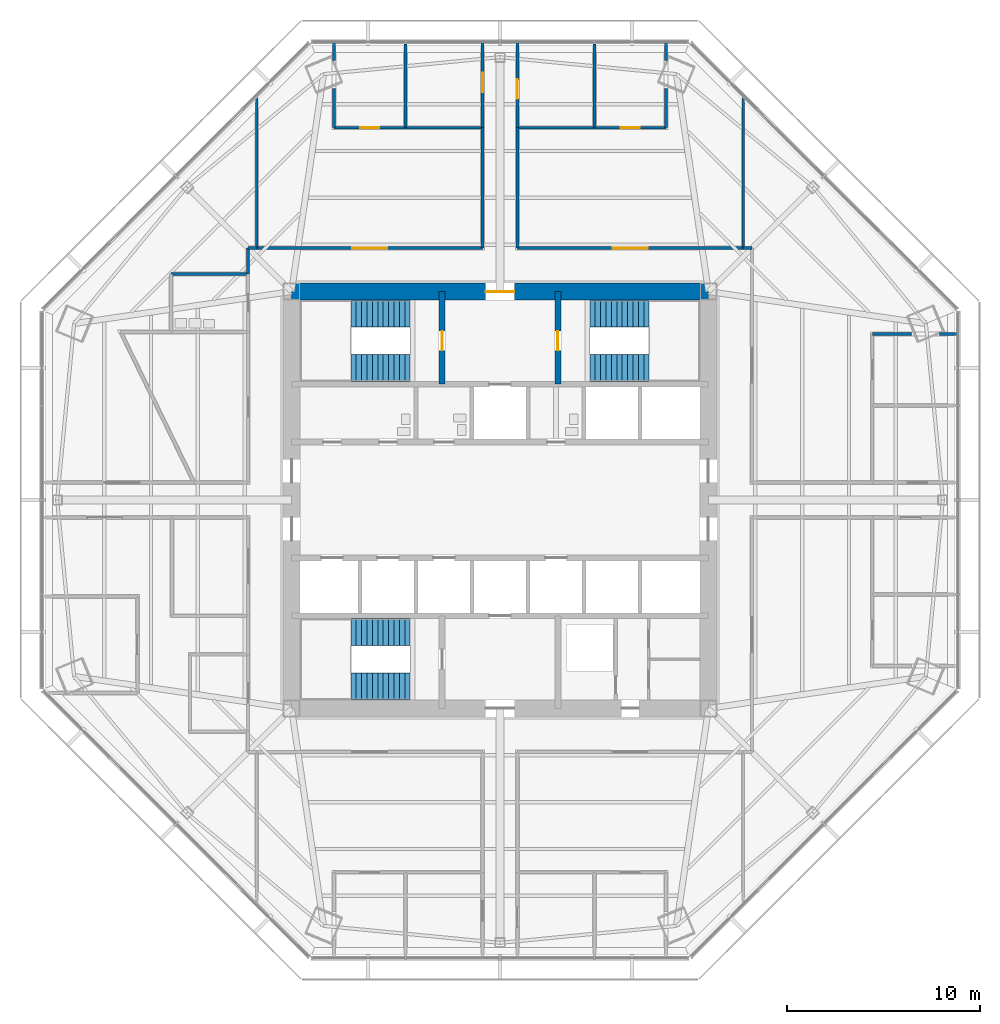
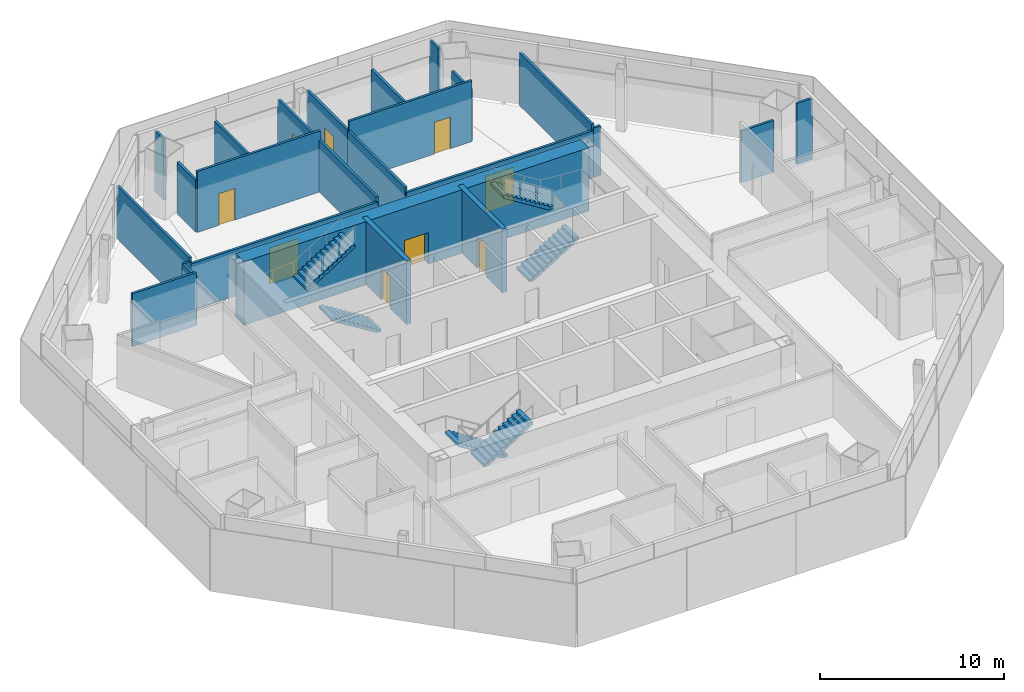
# One storey, part 11 of 15: 25 walls, 9 doors, 6 stair flights, 9 openings, 3 elements without a shape of their own.
"""IFC4 building model written with IfcOpenShell, lengths in metres."""

from ifc_helpers import new_model, si_unit, direction, frame, frame_2d, origin, place, context, subcontext, project, spatial, polyline, rectangle, outline, extrude, material, layer, layer_set, type_object, element, fill, aggregate, save


model = new_model("IFC4")

# Units and contexts
model_context = context("Model", 3, precision=1e-05, world=origin(), true_north=direction((0.0, 1.0)))
body_context = subcontext(model_context, "Body", "Model", "MODEL_VIEW")
ifc_project = project(units=[si_unit("LENGTHUNIT", "METRE"), si_unit("AREAUNIT", "SQUARE_METRE"), si_unit("VOLUMEUNIT", "CUBIC_METRE"), si_unit("PLANEANGLEUNIT", "RADIAN"), si_unit("MASSUNIT", "GRAM", prefix="KILO")], contexts=[model_context])

# Site, building, storey
site_placement = place(None, origin())
site = spatial("IfcSite", under=ifc_project, at=site_placement, CompositionType="ELEMENT")
building_placement = place(site_placement, origin())
building = spatial("IfcBuilding", under=site, at=building_placement, Name="Mashrafa Tower", CompositionType="ELEMENT")
storey_placement = place(building_placement, frame((0.0, 0.0, 151.199951171875)))
storey = spatial("IfcBuildingStorey", under=building, at=storey_placement, Name="L34", CompositionType="ELEMENT", Elevation=151.199951171875)

# Wall, opening, door
ifc_material_1 = material(Name="Concrete C60/75", Category="concrete")
ifc_layer_1 = layer(ifc_material_1, 0.300048828125)
ifc_layer_set_1 = layer_set([ifc_layer_1], Name="Core wall 300 C60/75")
wall_type_1 = type_object("IfcWallType", Name="Core wall 300 C60/75", PredefinedType="SOLIDWALL", material=ifc_layer_set_1)
wall_1_placement = place(storey_placement, frame((-3.0, 6.0, 0.0), z_axis=(0.0, 0.0, 1.0), x_axis=(0.0, 1.0, 0.0)))
wall_1 = element("IfcWall", 1, at=wall_1_placement, inside=storey, type_object=wall_type_1, Name="Core wall CX-NW L34", PredefinedType="SOLIDWALL", context=body_context, shape_type="SweptSolid", body=[
    extrude(rectangle(XDim=4.800048828125, YDim=0.300048828125, at=frame_2d((2.39990234375, 0.0))), origin(), (0.0, 0.0, 1.0), 4.199951171875),
])
opening_1_placement = place(wall_1_placement, frame((1.75, 0.0, 0.0)))
opening_1 = element("IfcOpeningElement", 2, at=opening_1_placement, cuts=wall_1, Name="Opening 34.032", PredefinedType="OPENING", context=body_context, shape_type="SweptSolid", body=[
    extrude(rectangle(XDim=1.0, YDim=2.10009765625, at=frame_2d((0.5, 1.050048828125))), frame((0.0, 0.159912109375, 0.0), z_axis=(0.0, -1.0, 0.0), x_axis=(1.0, 0.0, 0.0)), (0.0, 0.0, 1.0), 0.320068359375),
])
ifc_material_2 = material(Name="Steel door", Category="steel")
door_type_1 = type_object("IfcDoorType", Name="Stair door 1000 x 2100 90 min", OperationType="USERDEFINED", PredefinedType="DOOR", material=ifc_material_2)
door_1_placement = place(opening_1_placement, origin())
door_1 = element("IfcDoor", 3, at=door_1_placement, inside=storey, type_object=door_type_1, Name="Stair S1 door L34", OperationType="SINGLE_SWING_LEFT", OverallHeight=2.10009765625, OverallWidth=1.0, PredefinedType="DOOR", context=body_context, shape_type="SweptSolid", body=[
    extrude(rectangle(XDim=1.0, YDim=2.10009765625, at=frame_2d((0.5, 1.050048828125))), frame((0.0, 0.02490234375, 0.0), z_axis=(0.0, -1.0, 0.0), x_axis=(1.0, 0.0, 0.0)), (0.0, 0.0, 1.0), 0.050048828125),
])
fill(opening_1, door_1)

wall_2_placement = place(storey_placement, frame((3.0, 6.0, 0.0), z_axis=(0.0, 0.0, 1.0), x_axis=(0.0, 1.0, 0.0)))
wall_2 = element("IfcWall", 4, at=wall_2_placement, inside=storey, type_object=wall_type_1, Name="Core wall CX-NE L34", PredefinedType="SOLIDWALL", context=body_context, shape_type="SweptSolid", body=[
    extrude(rectangle(XDim=4.800048828125, YDim=0.300048828125, at=frame_2d((2.39990234375, 0.0))), origin(), (0.0, 0.0, 1.0), 4.199951171875),
])
opening_2_placement = place(wall_2_placement, frame((1.75, 0.0, 0.0)))
opening_2 = element("IfcOpeningElement", 5, at=opening_2_placement, cuts=wall_2, Name="Opening 34.033", PredefinedType="OPENING", context=body_context, shape_type="SweptSolid", body=[
    extrude(rectangle(XDim=1.0, YDim=2.10009765625, at=frame_2d((0.5, 1.050048828125))), frame((0.0, 0.159912109375, 0.0), z_axis=(0.0, -1.0, 0.0), x_axis=(1.0, 0.0, 0.0)), (0.0, 0.0, 1.0), 0.320068359375),
])
door_2_placement = place(opening_2_placement, frame((1.0, 0.0, 0.0), z_axis=(0.0, 0.0, 1.0), x_axis=(-1.0, 0.0, 0.0)))
door_2 = element("IfcDoor", 6, at=door_2_placement, inside=storey, type_object=door_type_1, Name="Stair S2 door L34", OperationType="SINGLE_SWING_RIGHT", OverallHeight=2.10009765625, OverallWidth=1.0, PredefinedType="DOOR", context=body_context, shape_type="SweptSolid", body=[
    extrude(rectangle(XDim=1.0, YDim=2.10009765625, at=frame_2d((0.5, 1.050048828125))), frame((0.0, 0.02490234375, 0.0), z_axis=(0.0, -1.0, 0.0), x_axis=(1.0, 0.0, 0.0)), (0.0, 0.0, 1.0), 0.050048828125),
])
fill(opening_2, door_2)

ifc_material_3 = material(Name="Concrete C60/75", Category="concrete")
ifc_layer_2 = layer(ifc_material_3, 0.89990234375)
ifc_layer_set_2 = layer_set([ifc_layer_2], Name="Core wall 900 C60/75")
wall_type_2 = type_object("IfcWallType", Name="Core wall 900 C60/75", PredefinedType="SOLIDWALL", material=ifc_layer_set_2)
wall_3_placement = place(storey_placement, frame((10.800048828125, 10.800048828125, 0.0), z_axis=(0.0, 0.0, 1.0), x_axis=(-1.0, 0.0, 0.0)))
wall_3 = element("IfcWall", 7, at=wall_3_placement, inside=storey, type_object=wall_type_2, Name="Core wall CW-N L34", PredefinedType="SOLIDWALL", context=body_context, shape_type="SweptSolid", body=[
    extrude(rectangle(XDim=21.60009765625, YDim=0.89990234375, at=frame_2d((10.800048828125, 0.0))), origin(), (0.0, 0.0, 1.0), 4.199951171875),
])
opening_3_placement = place(wall_3_placement, frame((10.050048828125, 0.0, 0.0)))
opening_3 = element("IfcOpeningElement", 8, at=opening_3_placement, cuts=wall_3, Name="Opening 34.030", PredefinedType="OPENING", context=body_context, shape_type="SweptSolid", body=[
    extrude(rectangle(XDim=1.5, YDim=2.10009765625, at=frame_2d((0.75, 1.050048828125))), frame((0.0, 0.4599609375, 0.0), z_axis=(0.0, -1.0, 0.0), x_axis=(1.0, 0.0, 0.0)), (0.0, 0.0, 1.0), 0.919921875),
])
ifc_material_4 = material(Name="Steel door", Category="steel")
door_type_2 = type_object("IfcDoorType", Name="Lobby door pair 1500 x 2100 90 min", OperationType="DOUBLE_DOOR_SINGLE_SWING", PredefinedType="DOOR", material=ifc_material_4)
door_3_placement = place(opening_3_placement, origin())
door_3 = element("IfcDoor", 9, at=door_3_placement, inside=storey, type_object=door_type_2, Name="Fire-fighting lobby F1 door L34", OperationType="DOUBLE_DOOR_SINGLE_SWING", OverallHeight=2.10009765625, OverallWidth=1.5, PredefinedType="DOOR", context=body_context, shape_type="SweptSolid", body=[
    extrude(rectangle(XDim=1.5, YDim=2.10009765625, at=frame_2d((0.75, 1.050048828125))), frame((0.0, 0.02490234375, 0.0), z_axis=(0.0, -1.0, 0.0), x_axis=(1.0, 0.0, 0.0)), (0.0, 0.0, 1.0), 0.050048828125),
])
fill(opening_3, door_3)

ifc_material_5 = material(Name="Gypsum board on steel studs", Category="steel")
ifc_layer_3 = layer(ifc_material_5, 0.14990234375)
ifc_layer_set_3 = layer_set([ifc_layer_3], Name="Corridor partition 150 1 hr")
wall_type_3 = type_object("IfcWallType", Name="Corridor partition 150 1 hr", PredefinedType="PARTITIONING", material=ifc_layer_set_3)
wall_4_placement = place(storey_placement, frame((-0.89990234375, 23.721435546875, 0.0), z_axis=(0.0, 0.0, 1.0), x_axis=(0.0, -1.0, 0.0)))
wall_4 = element("IfcWall", 10, at=wall_4_placement, inside=storey, type_object=wall_type_3, Name="Corridor wall L34-006", PredefinedType="PARTITIONING", context=body_context, shape_type="SweptSolid", body=[
    extrude(rectangle(XDim=4.434814453125, YDim=0.14990234375, at=frame_2d((2.21728515625, 0.0))), origin(), (0.0, 0.0, 1.0), 3.425537109375),
])
opening_4_placement = place(wall_4_placement, frame((1.599609375, 0.0, 0.0)))
opening_4 = element("IfcOpeningElement", 11, at=opening_4_placement, cuts=wall_4, Name="Opening 34.007", PredefinedType="OPENING", context=body_context, shape_type="SweptSolid", body=[
    extrude(rectangle(XDim=1.0, YDim=2.10009765625, at=frame_2d((0.5, 1.050048828125))), frame((0.0, 0.0849609375, 0.0), z_axis=(0.0, -1.0, 0.0), x_axis=(1.0, 0.0, 0.0)), (0.0, 0.0, 1.0), 0.169921875),
])
ifc_material_6 = material(Name="Timber door", Category="wood")
door_type_3 = type_object("IfcDoorType", Name="Door 1000 x 2100", OperationType="USERDEFINED", PredefinedType="DOOR", material=ifc_material_6)
door_4_placement = place(opening_4_placement, frame((1.0, 0.0, 0.0), z_axis=(0.0, 0.0, 1.0), x_axis=(-1.0, 0.0, 0.0)))
door_4 = element("IfcDoor", 12, at=door_4_placement, inside=storey, type_object=door_type_3, Name="Serviced Office 34-NA-1 door", OperationType="SINGLE_SWING_RIGHT", OverallHeight=2.10009765625, OverallWidth=1.0, PredefinedType="DOOR", context=body_context, shape_type="SweptSolid", body=[
    extrude(rectangle(XDim=1.0, YDim=2.10009765625, at=frame_2d((0.5, 1.050048828125))), frame((0.0, 0.02490234375, 0.0), z_axis=(0.0, -1.0, 0.0), x_axis=(1.0, 0.0, 0.0)), (0.0, 0.0, 1.0), 0.050048828125),
])
fill(opening_4, door_4)

wall_5_placement = place(storey_placement, frame((0.89990234375, 19.28662109375, 0.0), z_axis=(0.0, 0.0, 1.0), x_axis=(0.0, 1.0, 0.0)))
wall_5 = element("IfcWall", 13, at=wall_5_placement, inside=storey, type_object=wall_type_3, Name="Corridor wall L34-007", PredefinedType="PARTITIONING", context=body_context, shape_type="SweptSolid", body=[
    extrude(rectangle(XDim=4.434814453125, YDim=0.14990234375, at=frame_2d((2.21728515625, 0.0))), origin(), (0.0, 0.0, 1.0), 3.425537109375),
])
opening_5_placement = place(wall_5_placement, frame((1.50048828125, 0.0, 0.0)))
opening_5 = element("IfcOpeningElement", 14, at=opening_5_placement, cuts=wall_5, Name="Opening 34.010", PredefinedType="OPENING", context=body_context, shape_type="SweptSolid", body=[
    extrude(rectangle(XDim=1.0, YDim=2.10009765625, at=frame_2d((0.5, 1.050048828125))), frame((0.0, 0.0849609375, 0.0), z_axis=(0.0, -1.0, 0.0), x_axis=(1.0, 0.0, 0.0)), (0.0, 0.0, 1.0), 0.169921875),
])
door_5_placement = place(opening_5_placement, frame((1.0, 0.0, 0.0), z_axis=(0.0, 0.0, 1.0), x_axis=(-1.0, 0.0, 0.0)))
door_5 = element("IfcDoor", 15, at=door_5_placement, inside=storey, type_object=door_type_3, Name="Serviced Office 34-NB-2 door", OperationType="SINGLE_SWING_RIGHT", OverallHeight=2.10009765625, OverallWidth=1.0, PredefinedType="DOOR", context=body_context, shape_type="SweptSolid", body=[
    extrude(rectangle(XDim=1.0, YDim=2.10009765625, at=frame_2d((0.5, 1.050048828125))), frame((0.0, 0.02490234375, 0.0), z_axis=(0.0, -1.0, 0.0), x_axis=(1.0, 0.0, 0.0)), (0.0, 0.0, 1.0), 0.050048828125),
])
fill(opening_5, door_5)

# Wall
wall_6_placement = place(storey_placement, frame((13.050048828125, 13.050048828125, 0.0), z_axis=(0.0, 0.0, 1.0), x_axis=(-1.0, 0.0, 0.0)))
element("IfcWall", 16, at=wall_6_placement, inside=storey, type_object=wall_type_3, Name="Corridor wall L34-015", PredefinedType="PARTITIONING", context=body_context, shape_type="SweptSolid", body=[
    extrude(rectangle(XDim=0.450927734375, YDim=0.14990234375, at=frame_2d((0.2255859375, 0.0))), origin(), (0.0, 0.0, 1.0), 3.262939453125),
])

# Wall, opening, door
wall_7_placement = place(storey_placement, frame((12.60107421875, 13.050048828125, 0.0), z_axis=(0.0, 0.0, 1.0), x_axis=(-1.0, 0.0, 0.0)))
wall_7 = element("IfcWall", 17, at=wall_7_placement, inside=storey, type_object=wall_type_3, Name="Corridor wall L34-016", PredefinedType="PARTITIONING", context=body_context, shape_type="SweptSolid", body=[
    extrude(rectangle(XDim=11.701171875, YDim=0.14990234375, at=frame_2d((5.8505859375, 0.0))), origin(), (0.0, 0.0, 1.0), 3.097900390625),
])
opening_6_placement = place(wall_7_placement, frame((4.950439453125, 0.0, 0.0)))
opening_6 = element("IfcOpeningElement", 18, at=opening_6_placement, cuts=wall_7, Name="Opening 34.019", PredefinedType="OPENING", context=body_context, shape_type="SweptSolid", body=[
    extrude(rectangle(XDim=1.800048828125, YDim=2.39990234375, at=frame_2d((0.89990234375, 1.199951171875))), frame((0.0, 0.0849609375, 0.0), z_axis=(0.0, -1.0, 0.0), x_axis=(1.0, 0.0, 0.0)), (0.0, 0.0, 1.0), 0.169921875),
])
ifc_material_7 = material(Name="Timber door", Category="wood")
door_type_4 = type_object("IfcDoorType", Name="Door pair 1800 x 2400", OperationType="DOUBLE_DOOR_SINGLE_SWING", PredefinedType="DOOR", material=ifc_material_7)
door_6_placement = place(opening_6_placement, origin())
door_6 = element("IfcDoor", 19, at=door_6_placement, inside=storey, type_object=door_type_4, Name="Business Centre Lounge 34-NE2 door", OperationType="DOUBLE_DOOR_SINGLE_SWING", OverallHeight=2.39990234375, OverallWidth=1.800048828125, PredefinedType="DOOR", context=body_context, shape_type="SweptSolid", body=[
    extrude(rectangle(XDim=1.800048828125, YDim=2.39990234375, at=frame_2d((0.89990234375, 1.199951171875))), frame((0.0, 0.02490234375, 0.0), z_axis=(0.0, -1.0, 0.0), x_axis=(1.0, 0.0, 0.0)), (0.0, 0.0, 1.0), 0.050048828125),
])
fill(opening_6, door_6)

# Walls
wall_8_placement = place(storey_placement, frame((0.89990234375, 13.050048828125, 0.0), z_axis=(0.0, 0.0, 1.0), x_axis=(0.0, 1.0, 0.0)))
element("IfcWall", 20, at=wall_8_placement, inside=storey, type_object=wall_type_3, Name="Corridor wall L34-017", PredefinedType="PARTITIONING", context=body_context, shape_type="SweptSolid", body=[
    extrude(rectangle(XDim=6.238525390625, YDim=0.14990234375, at=frame_2d((3.119140625, 0.0))), origin(), (0.0, 0.0, 1.0), 3.425537109375),
])
wall_9_placement = place(storey_placement, frame((-12.59912109375, 13.050048828125, 0.0), z_axis=(0.0, 0.0, 1.0), x_axis=(-1.0, 0.0, 0.0)))
element("IfcWall", 21, at=wall_9_placement, inside=storey, type_object=wall_type_3, Name="Corridor wall L34-019", PredefinedType="PARTITIONING", context=body_context, shape_type="SweptSolid", body=[
    extrude(rectangle(XDim=0.450927734375, YDim=0.14990234375, at=frame_2d((0.2255859375, 0.0))), origin(), (0.0, 0.0, 1.0), 3.262939453125),
])
wall_10_placement = place(storey_placement, frame((-13.050048828125, 13.050048828125, 0.0), z_axis=(0.0, 0.0, 1.0), x_axis=(0.0, -1.0, 0.0)))
element("IfcWall", 22, at=wall_10_placement, inside=storey, type_object=wall_type_3, Name="Corridor wall L34-020", PredefinedType="PARTITIONING", context=body_context, shape_type="SweptSolid", body=[
    extrude(rectangle(XDim=1.35107421875, YDim=0.14990234375, at=frame_2d((0.675537109375, 0.0))), origin(), (0.0, 0.0, 1.0), 3.262939453125),
])
wall_11_placement = place(storey_placement, frame((-0.89990234375, 19.28857421875, 0.0), z_axis=(0.0, 0.0, 1.0), x_axis=(0.0, -1.0, 0.0)))
element("IfcWall", 23, at=wall_11_placement, inside=storey, type_object=wall_type_3, Name="Corridor wall L34-021", PredefinedType="PARTITIONING", context=body_context, shape_type="SweptSolid", body=[
    extrude(rectangle(XDim=6.238525390625, YDim=0.14990234375, at=frame_2d((3.119140625, 0.0))), origin(), (0.0, 0.0, 1.0), 3.425537109375),
])

# Wall, opening, door
wall_12_placement = place(storey_placement, frame((-0.89990234375, 13.050048828125, 0.0), z_axis=(0.0, 0.0, 1.0), x_axis=(-1.0, 0.0, 0.0)))
wall_12 = element("IfcWall", 24, at=wall_12_placement, inside=storey, type_object=wall_type_3, Name="Corridor wall L34-022", PredefinedType="PARTITIONING", context=body_context, shape_type="SweptSolid", body=[
    extrude(rectangle(XDim=11.701171875, YDim=0.14990234375, at=frame_2d((5.8505859375, 0.0))), origin(), (0.0, 0.0, 1.0), 3.097900390625),
])
opening_7_placement = place(wall_12_placement, frame((4.950439453125, 0.0, 0.0)))
opening_7 = element("IfcOpeningElement", 25, at=opening_7_placement, cuts=wall_12, Name="Opening 34.021", PredefinedType="OPENING", context=body_context, shape_type="SweptSolid", body=[
    extrude(rectangle(XDim=1.800048828125, YDim=2.39990234375, at=frame_2d((0.89990234375, 1.199951171875))), frame((0.0, 0.0849609375, 0.0), z_axis=(0.0, -1.0, 0.0), x_axis=(1.0, 0.0, 0.0)), (0.0, 0.0, 1.0), 0.169921875),
])
door_7_placement = place(opening_7_placement, origin())
door_7 = element("IfcDoor", 26, at=door_7_placement, inside=storey, type_object=door_type_4, Name="Business Centre Lounge 34-NW2 door", OperationType="DOUBLE_DOOR_SINGLE_SWING", OverallHeight=2.39990234375, OverallWidth=1.800048828125, PredefinedType="DOOR", context=body_context, shape_type="SweptSolid", body=[
    extrude(rectangle(XDim=1.800048828125, YDim=2.39990234375, at=frame_2d((0.89990234375, 1.199951171875))), frame((0.0, 0.02490234375, 0.0), z_axis=(0.0, -1.0, 0.0), x_axis=(1.0, 0.0, 0.0)), (0.0, 0.0, 1.0), 0.050048828125),
])
fill(opening_7, door_7)

# Walls
ifc_material_8 = material(Name="Gypsum board on steel studs", Category="steel")
ifc_layer_4 = layer(ifc_material_8, 0.14990234375)
ifc_layer_set_4 = layer_set([ifc_layer_4], Name="Partition 150")
wall_type_4 = type_object("IfcWallType", Name="Partition 150", PredefinedType="PARTITIONING", material=ifc_layer_set_4)
wall_13_placement = place(storey_placement, frame((-13.050048828125, 11.699951171875, 0.0), z_axis=(0.0, 0.0, 1.0), x_axis=(-1.0, 0.0, 0.0)))
element("IfcWall", 27, at=wall_13_placement, inside=storey, type_object=wall_type_4, Name="Partition wall L34-037", PredefinedType="PARTITIONING", context=body_context, shape_type="SweptSolid", body=[
    extrude(rectangle(XDim=4.0, YDim=0.14990234375, at=frame_2d((2.0, 0.0))), origin(), (0.0, 0.0, 1.0), 3.499267578125),
])
wall_14_placement = place(storey_placement, frame((23.719482421875, 8.60009765625, 0.0), z_axis=(0.0, 0.0, 1.0), x_axis=(-1.0, 0.0, 0.0)))
element("IfcWall", 28, at=wall_14_placement, inside=storey, type_object=wall_type_4, Name="Partition wall L34-041", PredefinedType="PARTITIONING", context=body_context, shape_type="SweptSolid", body=[
    extrude(rectangle(XDim=0.94775390625, YDim=0.14990234375, at=frame_2d((0.473876953125, 0.0))), origin(), (0.0, 0.0, 1.0), 4.03515625),
])
wall_15_placement = place(storey_placement, frame((21.309814453125, 8.60009765625, 0.0), z_axis=(0.0, 0.0, 1.0), x_axis=(-1.0, 0.0, 0.0)))
element("IfcWall", 29, at=wall_15_placement, inside=storey, type_object=wall_type_4, Name="Partition wall L34-042", PredefinedType="PARTITIONING", context=body_context, shape_type="SweptSolid", body=[
    extrude(rectangle(XDim=2.022216796875, YDim=0.14990234375, at=frame_2d((1.01123046875, 0.0))), origin(), (0.0, 0.0, 1.0), 3.425537109375),
])
wall_16_placement = place(storey_placement, frame((-4.89990234375, 23.6201171875, 0.0), z_axis=(0.0, 0.0, 1.0), x_axis=(0.0, -1.0, 0.0)))
element("IfcWall", 30, at=wall_16_placement, inside=storey, type_object=wall_type_4, Name="Partition wall L34-049", PredefinedType="PARTITIONING", context=body_context, shape_type="SweptSolid", body=[
    extrude(rectangle(XDim=4.33251953125, YDim=0.14990234375, at=frame_2d((2.166259765625, 0.0))), origin(), (0.0, 0.0, 1.0), 3.425537109375),
])

# Wall, opening, door
wall_17_placement = place(storey_placement, frame((-0.89990234375, 19.28759765625, 0.0), z_axis=(0.0, 0.0, 1.0), x_axis=(-1.0, 0.0, 0.0)))
wall_17 = element("IfcWall", 31, at=wall_17_placement, inside=storey, type_object=wall_type_4, Name="Partition wall L34-050", PredefinedType="PARTITIONING", context=body_context, shape_type="SweptSolid", body=[
    extrude(rectangle(XDim=7.7001953125, YDim=0.14990234375, at=frame_2d((3.85009765625, 0.0))), origin(), (0.0, 0.0, 1.0), 4.03515625),
])
opening_8_placement = place(wall_17_placement, frame((5.35009765625, 0.0, 0.0)))
opening_8 = element("IfcOpeningElement", 32, at=opening_8_placement, cuts=wall_17, Name="Opening 34.008", PredefinedType="OPENING", context=body_context, shape_type="SweptSolid", body=[
    extrude(rectangle(XDim=1.0, YDim=2.10009765625, at=frame_2d((0.5, 1.050048828125))), frame((0.0, 0.0849609375, 0.0), z_axis=(0.0, -1.0, 0.0), x_axis=(1.0, 0.0, 0.0)), (0.0, 0.0, 1.0), 0.169921875),
])
door_8_placement = place(opening_8_placement, frame((1.0, 0.0, 0.0), z_axis=(0.0, 0.0, 1.0), x_axis=(-1.0, 0.0, 0.0)))
door_8 = element("IfcDoor", 33, at=door_8_placement, inside=storey, type_object=door_type_3, Name="Serviced Office 34-NW2 door", OperationType="SINGLE_SWING_RIGHT", OverallHeight=2.10009765625, OverallWidth=1.0, PredefinedType="DOOR", context=body_context, shape_type="SweptSolid", body=[
    extrude(rectangle(XDim=1.0, YDim=2.10009765625, at=frame_2d((0.5, 1.050048828125))), frame((0.0, 0.02490234375, 0.0), z_axis=(0.0, -1.0, 0.0), x_axis=(1.0, 0.0, 0.0)), (0.0, 0.0, 1.0), 0.050048828125),
])
fill(opening_8, door_8)

# Walls
wall_18_placement = place(storey_placement, frame((-8.60009765625, 23.719482421875, 0.0), z_axis=(0.0, 0.0, 1.0), x_axis=(0.0, -1.0, 0.0)))
element("IfcWall", 34, at=wall_18_placement, inside=storey, type_object=wall_type_4, Name="Partition wall L34-051", PredefinedType="PARTITIONING", context=body_context, shape_type="SweptSolid", body=[
    extrude(rectangle(XDim=0.94775390625, YDim=0.14990234375, at=frame_2d((0.473876953125, 0.0))), origin(), (0.0, 0.0, 1.0), 4.03515625),
])
wall_19_placement = place(storey_placement, frame((-8.60009765625, 21.309814453125, 0.0), z_axis=(0.0, 0.0, 1.0), x_axis=(0.0, -1.0, 0.0)))
element("IfcWall", 35, at=wall_19_placement, inside=storey, type_object=wall_type_4, Name="Partition wall L34-052", PredefinedType="PARTITIONING", context=body_context, shape_type="SweptSolid", body=[
    extrude(rectangle(XDim=2.022216796875, YDim=0.14990234375, at=frame_2d((1.01123046875, 0.0))), origin(), (0.0, 0.0, 1.0), 3.425537109375),
])
wall_20_placement = place(storey_placement, frame((4.89990234375, 23.6201171875, 0.0), z_axis=(0.0, 0.0, 1.0), x_axis=(0.0, -1.0, 0.0)))
element("IfcWall", 36, at=wall_20_placement, inside=storey, type_object=wall_type_4, Name="Partition wall L34-054", PredefinedType="PARTITIONING", context=body_context, shape_type="SweptSolid", body=[
    extrude(rectangle(XDim=4.33251953125, YDim=0.14990234375, at=frame_2d((2.166259765625, 0.0))), origin(), (0.0, 0.0, 1.0), 3.425537109375),
])

# Wall, opening, door
wall_21_placement = place(storey_placement, frame((8.60009765625, 19.28759765625, 0.0), z_axis=(0.0, 0.0, 1.0), x_axis=(-1.0, 0.0, 0.0)))
wall_21 = element("IfcWall", 37, at=wall_21_placement, inside=storey, type_object=wall_type_4, Name="Partition wall L34-055", PredefinedType="PARTITIONING", context=body_context, shape_type="SweptSolid", body=[
    extrude(rectangle(XDim=7.7001953125, YDim=0.14990234375, at=frame_2d((3.85009765625, 0.0))), origin(), (0.0, 0.0, 1.0), 4.03515625),
])
opening_9_placement = place(wall_21_placement, frame((1.35009765625, 0.0, 0.0)))
opening_9 = element("IfcOpeningElement", 38, at=opening_9_placement, cuts=wall_21, Name="Opening 34.009", PredefinedType="OPENING", context=body_context, shape_type="SweptSolid", body=[
    extrude(rectangle(XDim=1.0, YDim=2.10009765625, at=frame_2d((0.5, 1.050048828125))), frame((0.0, 0.0849609375, 0.0), z_axis=(0.0, -1.0, 0.0), x_axis=(1.0, 0.0, 0.0)), (0.0, 0.0, 1.0), 0.169921875),
])
door_9_placement = place(opening_9_placement, frame((1.0, 0.0, 0.0), z_axis=(0.0, 0.0, 1.0), x_axis=(-1.0, 0.0, 0.0)))
door_9 = element("IfcDoor", 39, at=door_9_placement, inside=storey, type_object=door_type_3, Name="Serviced Office 34-NE2 door", OperationType="SINGLE_SWING_RIGHT", OverallHeight=2.10009765625, OverallWidth=1.0, PredefinedType="DOOR", context=body_context, shape_type="SweptSolid", body=[
    extrude(rectangle(XDim=1.0, YDim=2.10009765625, at=frame_2d((0.5, 1.050048828125))), frame((0.0, 0.02490234375, 0.0), z_axis=(0.0, -1.0, 0.0), x_axis=(1.0, 0.0, 0.0)), (0.0, 0.0, 1.0), 0.050048828125),
])
fill(opening_9, door_9)

# Walls
wall_22_placement = place(storey_placement, frame((8.60009765625, 19.28759765625, 0.0), z_axis=(0.0, 0.0, 1.0), x_axis=(0.0, 1.0, 0.0)))
element("IfcWall", 40, at=wall_22_placement, inside=storey, type_object=wall_type_4, Name="Partition wall L34-056", PredefinedType="PARTITIONING", context=body_context, shape_type="SweptSolid", body=[
    extrude(rectangle(XDim=2.022216796875, YDim=0.14990234375, at=frame_2d((1.01123046875, 0.0))), origin(), (0.0, 0.0, 1.0), 3.425537109375),
])
wall_23_placement = place(storey_placement, frame((8.60009765625, 22.771728515625, 0.0), z_axis=(0.0, 0.0, 1.0), x_axis=(0.0, 1.0, 0.0)))
element("IfcWall", 41, at=wall_23_placement, inside=storey, type_object=wall_type_4, Name="Partition wall L34-057", PredefinedType="PARTITIONING", context=body_context, shape_type="SweptSolid", body=[
    extrude(rectangle(XDim=0.94775390625, YDim=0.14990234375, at=frame_2d((0.473876953125, 0.0))), origin(), (0.0, 0.0, 1.0), 4.03515625),
])
for number, where, z_axis, x_axis, name in (
    (42, (12.60009765625, 20.946044921875, 0.0), (0.0, 0.0, 1.0), (0.0, -1.0, 0.0), "Partition wall L34-078"),
    (43, (-12.60009765625, 13.050048828125, 0.0), (0.0, 0.0, 1.0), (0.0, 1.0, 0.0), "Partition wall L34-079"),
):
    element("IfcWall", number, at=place(storey_placement, frame(where, z_axis=z_axis, x_axis=x_axis)), inside=storey, type_object=wall_type_4, Name=name, PredefinedType="PARTITIONING", context=body_context, shape_type="SweptSolid", body=[
        extrude(rectangle(XDim=7.89599609375, YDim=0.14990234375, at=frame_2d((3.947998046875, 0.0))), origin(), (0.0, 0.0, 1.0), 3.499267578125),
    ])

# Stair, stair flights
ifc_material_9 = material(Name="Exit stair 1400")
stair_type = type_object("IfcStairType", Name="Exit stair 1400", PredefinedType="HALF_TURN_STAIR", material=ifc_material_9)
stair_1_placement = place(storey_placement, origin())
stair_1 = element("IfcStair", 44, at=stair_1_placement, inside=storey, type_object=stair_type, Name="Stair S1 L34", PredefinedType="HALF_TURN_STAIR")
ifc_material_10 = material(Name="Concrete C32/40", Category="concrete")
stair_flight_type = type_object("IfcStairFlightType", Name="Stair flight 1400", PredefinedType="STRAIGHT", material=ifc_material_10)
stair_flight_1_placement = place(storey_placement, frame((-4.64990234375, 6.85009765625, 0.0), z_axis=(0.0, 0.0, 1.0), x_axis=(-1.0, 0.0, 0.0)))
stair_flight_1 = element("IfcStairFlight", 45, at=stair_flight_1_placement, type_object=stair_flight_type, Name="S1 flight 1", NumberOfRisers=12, NumberOfTreads=11, PredefinedType="STRAIGHT", RiserHeight=0.175, TreadLength=0.28, context=body_context, shape_type="SweptSolid", body=[
    extrude(outline(polyline([(0.0, 0.0), (0.0, 0.175048828125), (0.280029296875, 0.175048828125), (0.280029296875, 0.35009765625), (0.56005859375, 0.35009765625), (0.56005859375, 0.52490234375), (0.840087890625, 0.52490234375), (0.840087890625, 0.699951171875), (1.1201171875, 0.699951171875), (1.1201171875, 0.875), (1.39990234375, 0.875), (1.39990234375, 1.050048828125), (1.679931640625, 1.050048828125), (1.679931640625, 1.22509765625), (1.9599609375, 1.22509765625), (1.9599609375, 1.39990234375), (2.239990234375, 1.39990234375), (2.239990234375, 1.574951171875), (2.52001953125, 1.574951171875), (2.52001953125, 1.75), (2.800048828125, 1.75), (2.800048828125, 1.925048828125), (3.080078125, 1.925048828125), (3.080078125, 2.10009765625), (3.080078125, 1.748291015625), (0.28271484375, 0.0), (0.0, 0.0)])), frame((0.0, 0.699951171875, 0.0), z_axis=(0.0, -1.0, 0.0), x_axis=(1.0, 0.0, 0.0)), (0.0, 0.0, 1.0), 1.39990234375),
])
stair_flight_2_placement = place(storey_placement, frame((-7.72998046875, 9.64990234375, 2.10009765625), z_axis=(0.0, 0.0, 1.0), x_axis=(1.0, 0.0, 0.0)))
stair_flight_2 = element("IfcStairFlight", 46, at=stair_flight_2_placement, type_object=stair_flight_type, Name="S1 flight 2", NumberOfRisers=12, NumberOfTreads=11, PredefinedType="STRAIGHT", RiserHeight=0.175, TreadLength=0.28, context=body_context, shape_type="SweptSolid", body=[
    extrude(outline(polyline([(0.0, 0.0), (0.0, 0.175048828125), (0.280029296875, 0.175048828125), (0.280029296875, 0.35009765625), (0.56005859375, 0.35009765625), (0.56005859375, 0.52490234375), (0.840087890625, 0.52490234375), (0.840087890625, 0.699951171875), (1.1201171875, 0.699951171875), (1.1201171875, 0.875), (1.39990234375, 0.875), (1.39990234375, 1.050048828125), (1.679931640625, 1.050048828125), (1.679931640625, 1.22509765625), (1.9599609375, 1.22509765625), (1.9599609375, 1.39990234375), (2.239990234375, 1.39990234375), (2.239990234375, 1.574951171875), (2.52001953125, 1.574951171875), (2.52001953125, 1.75), (2.800048828125, 1.75), (2.800048828125, 1.925048828125), (3.080078125, 1.925048828125), (3.080078125, 2.10009765625), (3.080078125, 1.748291015625), (0.28271484375, 0.0), (0.0, 0.0)])), frame((0.0, 0.699951171875, 0.0), z_axis=(0.0, -1.0, 0.0), x_axis=(1.0, 0.0, 0.0)), (0.0, 0.0, 1.0), 1.39990234375),
])
aggregate(stair_1, [stair_flight_1, stair_flight_2])

stair_2_placement = place(storey_placement, origin())
stair_2 = element("IfcStair", 47, at=stair_2_placement, inside=storey, type_object=stair_type, Name="Stair S2 L34", PredefinedType="HALF_TURN_STAIR")
stair_flight_3_placement = place(storey_placement, frame((4.64990234375, 6.85009765625, 0.0), z_axis=(0.0, 0.0, 1.0), x_axis=(1.0, 0.0, 0.0)))
stair_flight_3 = element("IfcStairFlight", 48, at=stair_flight_3_placement, type_object=stair_flight_type, Name="S2 flight 1", NumberOfRisers=12, NumberOfTreads=11, PredefinedType="STRAIGHT", RiserHeight=0.175, TreadLength=0.28, context=body_context, shape_type="SweptSolid", body=[
    extrude(outline(polyline([(0.0, 0.0), (0.0, 0.175048828125), (0.280029296875, 0.175048828125), (0.280029296875, 0.35009765625), (0.56005859375, 0.35009765625), (0.56005859375, 0.52490234375), (0.840087890625, 0.52490234375), (0.840087890625, 0.699951171875), (1.1201171875, 0.699951171875), (1.1201171875, 0.875), (1.39990234375, 0.875), (1.39990234375, 1.050048828125), (1.679931640625, 1.050048828125), (1.679931640625, 1.22509765625), (1.9599609375, 1.22509765625), (1.9599609375, 1.39990234375), (2.239990234375, 1.39990234375), (2.239990234375, 1.574951171875), (2.52001953125, 1.574951171875), (2.52001953125, 1.75), (2.800048828125, 1.75), (2.800048828125, 1.925048828125), (3.080078125, 1.925048828125), (3.080078125, 2.10009765625), (3.080078125, 1.748291015625), (0.28271484375, 0.0), (0.0, 0.0)])), frame((0.0, 0.699951171875, 0.0), z_axis=(0.0, -1.0, 0.0), x_axis=(1.0, 0.0, 0.0)), (0.0, 0.0, 1.0), 1.39990234375),
])
stair_flight_4_placement = place(storey_placement, frame((7.72998046875, 9.64990234375, 2.10009765625), z_axis=(0.0, 0.0, 1.0), x_axis=(-1.0, 0.0, 0.0)))
stair_flight_4 = element("IfcStairFlight", 49, at=stair_flight_4_placement, type_object=stair_flight_type, Name="S2 flight 2", NumberOfRisers=12, NumberOfTreads=11, PredefinedType="STRAIGHT", RiserHeight=0.175, TreadLength=0.28, context=body_context, shape_type="SweptSolid", body=[
    extrude(outline(polyline([(0.0, 0.0), (0.0, 0.175048828125), (0.280029296875, 0.175048828125), (0.280029296875, 0.35009765625), (0.56005859375, 0.35009765625), (0.56005859375, 0.52490234375), (0.840087890625, 0.52490234375), (0.840087890625, 0.699951171875), (1.1201171875, 0.699951171875), (1.1201171875, 0.875), (1.39990234375, 0.875), (1.39990234375, 1.050048828125), (1.679931640625, 1.050048828125), (1.679931640625, 1.22509765625), (1.9599609375, 1.22509765625), (1.9599609375, 1.39990234375), (2.239990234375, 1.39990234375), (2.239990234375, 1.574951171875), (2.52001953125, 1.574951171875), (2.52001953125, 1.75), (2.800048828125, 1.75), (2.800048828125, 1.925048828125), (3.080078125, 1.925048828125), (3.080078125, 2.10009765625), (3.080078125, 1.748291015625), (0.28271484375, 0.0), (0.0, 0.0)])), frame((0.0, 0.699951171875, 0.0), z_axis=(0.0, -1.0, 0.0), x_axis=(1.0, 0.0, 0.0)), (0.0, 0.0, 1.0), 1.39990234375),
])
aggregate(stair_2, [stair_flight_3, stair_flight_4])

stair_3_placement = place(storey_placement, origin())
stair_3 = element("IfcStair", 50, at=stair_3_placement, inside=storey, type_object=stair_type, Name="Stair S3 L34", PredefinedType="HALF_TURN_STAIR")
stair_flight_5_placement = place(storey_placement, frame((-4.64990234375, -6.85009765625, 0.0), z_axis=(0.0, 0.0, 1.0), x_axis=(-1.0, 0.0, 0.0)))
stair_flight_5 = element("IfcStairFlight", 51, at=stair_flight_5_placement, type_object=stair_flight_type, Name="S3 flight 1", NumberOfRisers=12, NumberOfTreads=11, PredefinedType="STRAIGHT", RiserHeight=0.175, TreadLength=0.28, context=body_context, shape_type="SweptSolid", body=[
    extrude(outline(polyline([(0.0, 0.0), (0.0, 0.175048828125), (0.280029296875, 0.175048828125), (0.280029296875, 0.35009765625), (0.56005859375, 0.35009765625), (0.56005859375, 0.52490234375), (0.840087890625, 0.52490234375), (0.840087890625, 0.699951171875), (1.1201171875, 0.699951171875), (1.1201171875, 0.875), (1.39990234375, 0.875), (1.39990234375, 1.050048828125), (1.679931640625, 1.050048828125), (1.679931640625, 1.22509765625), (1.9599609375, 1.22509765625), (1.9599609375, 1.39990234375), (2.239990234375, 1.39990234375), (2.239990234375, 1.574951171875), (2.52001953125, 1.574951171875), (2.52001953125, 1.75), (2.800048828125, 1.75), (2.800048828125, 1.925048828125), (3.080078125, 1.925048828125), (3.080078125, 2.10009765625), (3.080078125, 1.748291015625), (0.28271484375, 0.0), (0.0, 0.0)])), frame((0.0, 0.699951171875, 0.0), z_axis=(0.0, -1.0, 0.0), x_axis=(1.0, 0.0, 0.0)), (0.0, 0.0, 1.0), 1.39990234375),
])
stair_flight_6_placement = place(storey_placement, frame((-7.72998046875, -9.64990234375, 2.10009765625), z_axis=(0.0, 0.0, 1.0), x_axis=(1.0, 0.0, 0.0)))
stair_flight_6 = element("IfcStairFlight", 52, at=stair_flight_6_placement, type_object=stair_flight_type, Name="S3 flight 2", NumberOfRisers=12, NumberOfTreads=11, PredefinedType="STRAIGHT", RiserHeight=0.175, TreadLength=0.28, context=body_context, shape_type="SweptSolid", body=[
    extrude(outline(polyline([(0.0, 0.0), (0.0, 0.175048828125), (0.280029296875, 0.175048828125), (0.280029296875, 0.35009765625), (0.56005859375, 0.35009765625), (0.56005859375, 0.52490234375), (0.840087890625, 0.52490234375), (0.840087890625, 0.699951171875), (1.1201171875, 0.699951171875), (1.1201171875, 0.875), (1.39990234375, 0.875), (1.39990234375, 1.050048828125), (1.679931640625, 1.050048828125), (1.679931640625, 1.22509765625), (1.9599609375, 1.22509765625), (1.9599609375, 1.39990234375), (2.239990234375, 1.39990234375), (2.239990234375, 1.574951171875), (2.52001953125, 1.574951171875), (2.52001953125, 1.75), (2.800048828125, 1.75), (2.800048828125, 1.925048828125), (3.080078125, 1.925048828125), (3.080078125, 2.10009765625), (3.080078125, 1.748291015625), (0.28271484375, 0.0), (0.0, 0.0)])), frame((0.0, 0.699951171875, 0.0), z_axis=(0.0, -1.0, 0.0), x_axis=(1.0, 0.0, 0.0)), (0.0, 0.0, 1.0), 1.39990234375),
])
aggregate(stair_3, [stair_flight_5, stair_flight_6])

save(model, "model.ifc")
